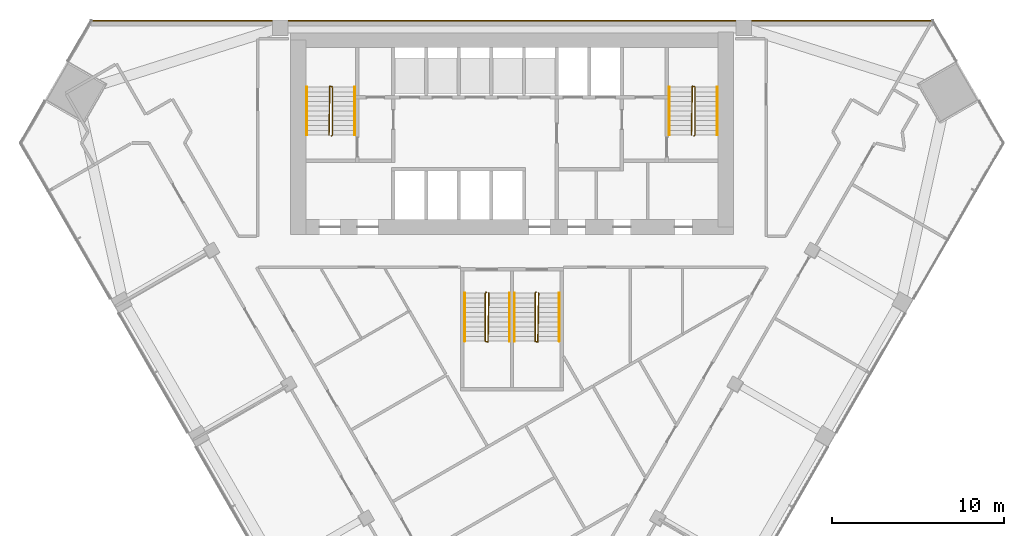
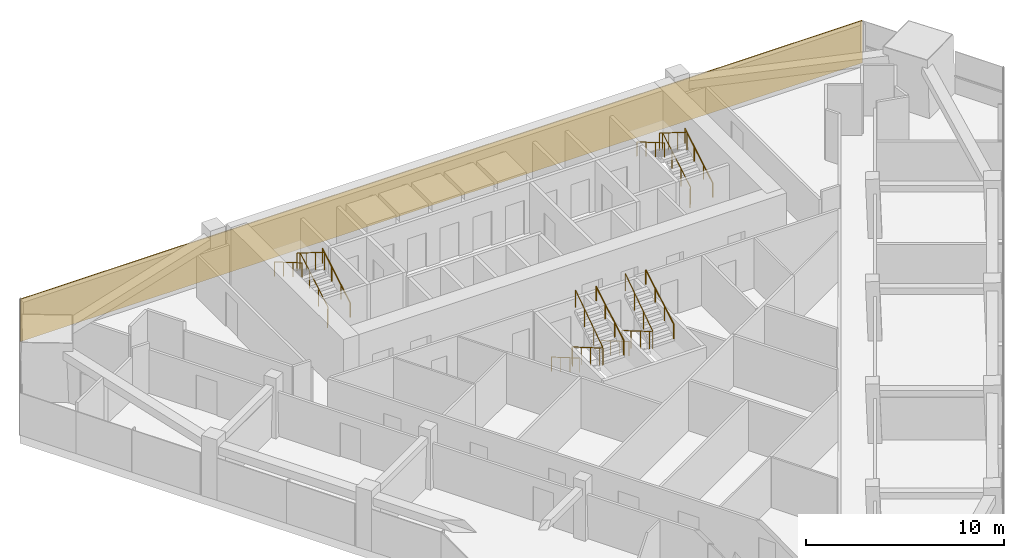
# One storey, part 13 of 14: 12 railings, 1 covering.
"""IFC4 building model written with IfcOpenShell, lengths in metres."""

from ifc_helpers import new_model, si_unit, direction, frame, frame_2d, origin, origin_2d, place, context, subcontext, project, spatial, rectangle, circle, extrude, material, layer, layer_set, type_object, element, save


model = new_model("IFC4")

# Units and contexts
model_context = context("Model", 3, precision=1e-05, world=origin(), true_north=direction((0.0, 1.0)))
body_context = subcontext(model_context, "Body", "Model", "MODEL_VIEW")
ifc_project = project(units=[si_unit("LENGTHUNIT", "METRE"), si_unit("AREAUNIT", "SQUARE_METRE"), si_unit("VOLUMEUNIT", "CUBIC_METRE"), si_unit("PLANEANGLEUNIT", "RADIAN"), si_unit("MASSUNIT", "GRAM", prefix="KILO")], contexts=[model_context])

# Site, building, storey
site_placement = place(None, origin())
site = spatial("IfcSite", under=ifc_project, at=site_placement, CompositionType="ELEMENT")
building_placement = place(site_placement, origin())
building = spatial("IfcBuilding", under=site, at=building_placement, Name="Altiplano Prism Tower", CompositionType="ELEMENT")
storey_placement = place(building_placement, frame((0.0, 0.0, 108.0)))
storey = spatial("IfcBuildingStorey", under=building, at=storey_placement, Name="L27", CompositionType="ELEMENT", Elevation=108.0)

# Railings
ifc_material_1 = material(Name="Steel S355", Category="steel")
railing_type_1 = type_object("IfcRailingType", Name="Stair guard 1100", PredefinedType="GUARDRAIL", material=ifc_material_1)
railing_1_placement = place(storey_placement, frame((74.5, 98.25, 0.0)))
element("IfcRailing", 1, at=railing_1_placement, inside=storey, type_object=railing_type_1, Name="L27 ST1 stair guard 1", PredefinedType="GUARDRAIL", context=body_context, shape_type="SweptSolid", body=[
    extrude(circle(Radius=0.02392578125, at=origin_2d()), frame((0.0, 0.0, 1.076171875), z_axis=(0.280808744504, 0.280808744504, 0.917765164963), x_axis=(-0.707106781187, 0.707106781187, 0.0)), (0.0, 0.0, 1.0), 0.17822265625),
    extrude(circle(Radius=0.02392578125, at=origin_2d()), frame((0.050048828125, 0.050048828125, 1.23974609375), z_axis=(0.0, 0.863360870873, 0.504586966384), x_axis=(-1.0, 0.0, 0.0)), (0.0, 0.0, 1.0), 3.2431640625),
    extrude(circle(Radius=0.02392578125, at=origin_2d()), frame((0.050048828125, 2.85009765625, 2.8759765625), z_axis=(-0.949145278916, 0.314838433982, 0.0), x_axis=(-0.314838433982, -0.949145278916, 0.0)), (0.0, 0.0, 1.0), 0.158203125),
    extrude(circle(Radius=0.02392578125, at=origin_2d()), frame((-0.10009765625, 2.89990234375, 2.8759765625), z_axis=(-0.01477401265, -0.845377694409, 0.533964682676), x_axis=(0.999847325713, -0.01747355902, 0.0)), (0.0, 0.0, 1.0), 3.37109375),
    extrude(circle(Radius=0.02099609375, at=origin_2d()), origin(), (0.0, 0.0, 1.0), 1.052001953125),
    extrude(circle(Radius=0.02099609375, at=origin_2d()), frame((0.050048828125, 0.050048828125, 0.16357421875)), (0.0, 0.0, 1.0), 1.052001953125),
    extrude(circle(Radius=0.02099609375, at=origin_2d()), frame((0.050048828125, 0.9833984375, 0.708984375)), (0.0, 0.0, 1.0), 1.052001953125),
    extrude(circle(Radius=0.02099609375, at=origin_2d()), frame((0.050048828125, 1.916748046875, 1.254638671875)), (0.0, 0.0, 1.0), 1.052001953125),
    extrude(circle(Radius=0.02099609375, at=origin_2d()), frame((0.050048828125, 2.85009765625, 1.800048828125)), (0.0, 0.0, 1.0), 1.052001953125),
    extrude(circle(Radius=0.02099609375, at=origin_2d()), frame((-0.10009765625, 2.89990234375, 1.800048828125)), (0.0, 0.0, 1.0), 1.052001953125),
    extrude(circle(Radius=0.02099609375, at=origin_2d()), frame((-0.11669921875, 1.949951171875, 2.400146484375)), (0.0, 0.0, 1.0), 1.052001953125),
    extrude(circle(Radius=0.02099609375, at=origin_2d()), frame((-0.13330078125, 1.0, 3.0)), (0.0, 0.0, 1.0), 1.052001953125),
    extrude(circle(Radius=0.02099609375, at=origin_2d()), frame((-0.14990234375, 0.050048828125, 3.60009765625)), (0.0, 0.0, 1.0), 1.052001953125),
])
railing_2_placement = place(storey_placement, frame((95.60009765625, 98.25, 0.0)))
element("IfcRailing", 2, at=railing_2_placement, inside=storey, type_object=railing_type_1, Name="L27 ST2 stair guard 1", PredefinedType="GUARDRAIL", context=body_context, shape_type="SweptSolid", body=[
    extrude(circle(Radius=0.02392578125, at=origin_2d()), frame((0.0, 0.0, 1.076171875), z_axis=(0.279546231943, 0.280916556609, 0.91811752648), x_axis=(-0.708833529934, 0.705375805398, 0.0)), (0.0, 0.0, 1.0), 0.17822265625),
    extrude(circle(Radius=0.02392578125, at=origin_2d()), frame((0.0498046875, 0.050048828125, 1.23974609375), z_axis=(0.0, 0.863360870873, 0.504586966384), x_axis=(-1.0, 0.0, 0.0)), (0.0, 0.0, 1.0), 3.2431640625),
    extrude(circle(Radius=0.02392578125, at=origin_2d()), frame((0.0498046875, 2.85009765625, 2.8759765625), z_axis=(-0.948991962702, 0.315300261223, 0.0), x_axis=(-0.315300261223, -0.948991962702, 0.0)), (0.0, 0.0, 1.0), 0.157958984375),
    extrude(circle(Radius=0.02392578125, at=origin_2d()), frame((-0.10009765625, 2.89990234375, 2.8759765625), z_axis=(-0.014846418356, -0.845376787675, 0.533964109957), x_axis=(0.999845825584, -0.017559187376, 0.0)), (0.0, 0.0, 1.0), 3.37109375),
    extrude(circle(Radius=0.02099609375, at=origin_2d()), origin(), (0.0, 0.0, 1.0), 1.052001953125),
    extrude(circle(Radius=0.02099609375, at=origin_2d()), frame((0.0498046875, 0.050048828125, 0.16357421875)), (0.0, 0.0, 1.0), 1.052001953125),
    extrude(circle(Radius=0.02099609375, at=origin_2d()), frame((0.0498046875, 0.9833984375, 0.708984375)), (0.0, 0.0, 1.0), 1.052001953125),
    extrude(circle(Radius=0.02099609375, at=origin_2d()), frame((0.0498046875, 1.916748046875, 1.254638671875)), (0.0, 0.0, 1.0), 1.052001953125),
    extrude(circle(Radius=0.02099609375, at=origin_2d()), frame((0.0498046875, 2.85009765625, 1.800048828125)), (0.0, 0.0, 1.0), 1.052001953125),
    extrude(circle(Radius=0.02099609375, at=origin_2d()), frame((-0.10009765625, 2.89990234375, 1.800048828125)), (0.0, 0.0, 1.0), 1.052001953125),
    extrude(circle(Radius=0.02099609375, at=origin_2d()), frame((-0.11669921875, 1.949951171875, 2.400146484375)), (0.0, 0.0, 1.0), 1.052001953125),
    extrude(circle(Radius=0.02099609375, at=origin_2d()), frame((-0.133544921875, 1.0, 3.0)), (0.0, 0.0, 1.0), 1.052001953125),
    extrude(circle(Radius=0.02099609375, at=origin_2d()), frame((-0.150146484375, 0.050048828125, 3.60009765625)), (0.0, 0.0, 1.0), 1.052001953125),
])
railing_3_placement = place(storey_placement, frame((83.5, 89.14990234375, 0.0)))
element("IfcRailing", 3, at=railing_3_placement, inside=storey, type_object=railing_type_1, Name="L27 ST3A stair guard 1", PredefinedType="GUARDRAIL", context=body_context, shape_type="SweptSolid", body=[
    extrude(circle(Radius=0.02392578125, at=origin_2d()), frame((0.0, 0.0, 1.076171875), z_axis=(-0.280916556609, -0.279546231943, 0.91811752648), x_axis=(0.705375805398, -0.708833529934, 0.0)), (0.0, 0.0, 1.0), 0.17822265625),
    extrude(circle(Radius=0.02392578125, at=origin_2d()), frame((-0.050048828125, -0.0498046875, 1.23974609375), z_axis=(0.0, -0.863360870873, 0.504586966384), x_axis=(1.0, 0.0, 0.0)), (0.0, 0.0, 1.0), 3.2431640625),
    extrude(circle(Radius=0.02392578125, at=origin_2d()), frame((-0.050048828125, -2.849853515625, 2.8759765625), z_axis=(0.948683298051, -0.316227766017, 0.0), x_axis=(0.316227766017, 0.948683298051, 0.0)), (0.0, 0.0, 1.0), 0.158203125),
    extrude(circle(Radius=0.02392578125, at=origin_2d()), frame((0.10009765625, -2.89990234375, 2.8759765625), z_axis=(0.014773108175, 0.84539835705, 0.533931993021), x_axis=(-0.999847351862, 0.017472062685, 0.0)), (0.0, 0.0, 1.0), 3.371337890625),
    extrude(circle(Radius=0.02099609375, at=origin_2d()), origin(), (0.0, 0.0, 1.0), 1.052001953125),
    extrude(circle(Radius=0.02099609375, at=origin_2d()), frame((-0.050048828125, -0.0498046875, 0.16357421875)), (0.0, 0.0, 1.0), 1.052001953125),
    extrude(circle(Radius=0.02099609375, at=origin_2d()), frame((-0.050048828125, -0.983154296875, 0.708984375)), (0.0, 0.0, 1.0), 1.052001953125),
    extrude(circle(Radius=0.02099609375, at=origin_2d()), frame((-0.050048828125, -1.91650390625, 1.254638671875)), (0.0, 0.0, 1.0), 1.052001953125),
    extrude(circle(Radius=0.02099609375, at=origin_2d()), frame((-0.050048828125, -2.849853515625, 1.800048828125)), (0.0, 0.0, 1.0), 1.052001953125),
    extrude(circle(Radius=0.02099609375, at=origin_2d()), frame((0.10009765625, -2.89990234375, 1.800048828125)), (0.0, 0.0, 1.0), 1.052001953125),
    extrude(circle(Radius=0.02099609375, at=origin_2d()), frame((0.11669921875, -1.949951171875, 2.400146484375)), (0.0, 0.0, 1.0), 1.052001953125),
    extrude(circle(Radius=0.02099609375, at=origin_2d()), frame((0.13330078125, -0.999755859375, 3.0)), (0.0, 0.0, 1.0), 1.052001953125),
    extrude(circle(Radius=0.02099609375, at=origin_2d()), frame((0.14990234375, -0.0498046875, 3.60009765625)), (0.0, 0.0, 1.0), 1.052001953125),
])
railing_4_placement = place(storey_placement, frame((86.39990234375, 89.14990234375, 0.0)))
element("IfcRailing", 4, at=railing_4_placement, inside=storey, type_object=railing_type_1, Name="L27 ST3B stair guard 1", PredefinedType="GUARDRAIL", context=body_context, shape_type="SweptSolid", body=[
    extrude(circle(Radius=0.02392578125, at=origin_2d()), frame((0.0, 0.0, 1.076171875), z_axis=(-0.279653641804, -0.279653641804, 0.918470294159), x_axis=(0.707106781187, -0.707106781187, 0.0)), (0.0, 0.0, 1.0), 0.177978515625),
    extrude(circle(Radius=0.02392578125, at=origin_2d()), frame((-0.0498046875, -0.0498046875, 1.23974609375), z_axis=(0.0, -0.863360870873, 0.504586966384), x_axis=(1.0, 0.0, 0.0)), (0.0, 0.0, 1.0), 3.2431640625),
    extrude(circle(Radius=0.02392578125, at=origin_2d()), frame((-0.0498046875, -2.849853515625, 2.8759765625), z_axis=(0.948528701346, -0.316691178788, 0.0), x_axis=(0.316691178788, 0.948528701346, 0.0)), (0.0, 0.0, 1.0), 0.157958984375),
    extrude(circle(Radius=0.02392578125, at=origin_2d()), frame((0.10009765625, -2.89990234375, 2.8759765625), z_axis=(0.014845509451, 0.845397450405, 0.533931420407), x_axis=(-0.999845851991, 0.017557683712, 0.0)), (0.0, 0.0, 1.0), 3.371337890625),
    extrude(circle(Radius=0.02099609375, at=origin_2d()), origin(), (0.0, 0.0, 1.0), 1.052001953125),
    extrude(circle(Radius=0.02099609375, at=origin_2d()), frame((-0.0498046875, -0.0498046875, 0.16357421875)), (0.0, 0.0, 1.0), 1.052001953125),
    extrude(circle(Radius=0.02099609375, at=origin_2d()), frame((-0.0498046875, -0.983154296875, 0.708984375)), (0.0, 0.0, 1.0), 1.052001953125),
    extrude(circle(Radius=0.02099609375, at=origin_2d()), frame((-0.0498046875, -1.91650390625, 1.254638671875)), (0.0, 0.0, 1.0), 1.052001953125),
    extrude(circle(Radius=0.02099609375, at=origin_2d()), frame((-0.0498046875, -2.849853515625, 1.800048828125)), (0.0, 0.0, 1.0), 1.052001953125),
    extrude(circle(Radius=0.02099609375, at=origin_2d()), frame((0.10009765625, -2.89990234375, 1.800048828125)), (0.0, 0.0, 1.0), 1.052001953125),
    extrude(circle(Radius=0.02099609375, at=origin_2d()), frame((0.11669921875, -1.949951171875, 2.400146484375)), (0.0, 0.0, 1.0), 1.052001953125),
    extrude(circle(Radius=0.02099609375, at=origin_2d()), frame((0.133544921875, -0.999755859375, 3.0)), (0.0, 0.0, 1.0), 1.052001953125),
    extrude(circle(Radius=0.02099609375, at=origin_2d()), frame((0.150146484375, -0.0498046875, 3.60009765625)), (0.0, 0.0, 1.0), 1.052001953125),
])
railing_type_2 = type_object("IfcRailingType", Name="Stair handrail 900", PredefinedType="HANDRAIL", material=ifc_material_1)
railing_5_placement = place(storey_placement, frame((75.85009765625, 98.300048828125, 0.16357421875)))
element("IfcRailing", 5, at=railing_5_placement, inside=storey, type_object=railing_type_2, Name="L27 ST1 stair handrail 1", PredefinedType="HANDRAIL", context=body_context, shape_type="SweptSolid", body=[
    extrude(circle(Radius=0.02392578125, at=origin_2d()), frame((0.0, 0.0, 0.8759765625), z_axis=(0.0, 0.863360870873, 0.504586966384), x_axis=(-1.0, 0.0, 0.0)), (0.0, 0.0, 1.0), 3.2431640625),
    extrude(circle(Radius=0.02099609375, at=origin_2d()), origin(), (0.0, 0.0, 1.0), 0.851806640625),
    extrude(circle(Radius=0.02099609375, at=origin_2d()), frame((0.0, 0.933349609375, 0.54541015625)), (0.0, 0.0, 1.0), 0.851806640625),
    extrude(circle(Radius=0.02099609375, at=origin_2d()), frame((0.0, 1.86669921875, 1.091064453125)), (0.0, 0.0, 1.0), 0.851806640625),
    extrude(circle(Radius=0.02099609375, at=origin_2d()), frame((0.0, 2.800048828125, 1.636474609375)), (0.0, 0.0, 1.0), 0.851806640625),
])
railing_6_placement = place(storey_placement, frame((73.050048828125, 101.10009765625, 1.963623046875)))
element("IfcRailing", 6, at=railing_6_placement, inside=storey, type_object=railing_type_2, Name="L27 ST1 stair handrail 2", PredefinedType="HANDRAIL", context=body_context, shape_type="SweptSolid", body=[
    extrude(circle(Radius=0.02392578125, at=origin_2d()), frame((0.0, 0.0, 0.8759765625), z_axis=(0.0, -0.863360870873, 0.504586966384), x_axis=(1.0, 0.0, 0.0)), (0.0, 0.0, 1.0), 3.2431640625),
    extrude(circle(Radius=0.02099609375, at=origin_2d()), origin(), (0.0, 0.0, 1.0), 0.851806640625),
    extrude(circle(Radius=0.02099609375, at=origin_2d()), frame((0.0, -0.933349609375, 0.54541015625)), (0.0, 0.0, 1.0), 0.851806640625),
    extrude(circle(Radius=0.02099609375, at=origin_2d()), frame((0.0, -1.86669921875, 1.091064453125)), (0.0, 0.0, 1.0), 0.851806640625),
    extrude(circle(Radius=0.02099609375, at=origin_2d()), frame((0.0, -2.800048828125, 1.636474609375)), (0.0, 0.0, 1.0), 0.851806640625),
])
railing_7_placement = place(storey_placement, frame((96.949951171875, 98.300048828125, 0.16357421875)))
element("IfcRailing", 7, at=railing_7_placement, inside=storey, type_object=railing_type_2, Name="L27 ST2 stair handrail 1", PredefinedType="HANDRAIL", context=body_context, shape_type="SweptSolid", body=[
    extrude(circle(Radius=0.02392578125, at=origin_2d()), frame((0.0, 0.0, 0.8759765625), z_axis=(0.0, 0.863360870873, 0.504586966384), x_axis=(-1.0, 0.0, 0.0)), (0.0, 0.0, 1.0), 3.2431640625),
    extrude(circle(Radius=0.02099609375, at=origin_2d()), origin(), (0.0, 0.0, 1.0), 0.851806640625),
    extrude(circle(Radius=0.02099609375, at=origin_2d()), frame((0.0, 0.933349609375, 0.54541015625)), (0.0, 0.0, 1.0), 0.851806640625),
    extrude(circle(Radius=0.02099609375, at=origin_2d()), frame((0.0, 1.86669921875, 1.091064453125)), (0.0, 0.0, 1.0), 0.851806640625),
    extrude(circle(Radius=0.02099609375, at=origin_2d()), frame((0.0, 2.800048828125, 1.636474609375)), (0.0, 0.0, 1.0), 0.851806640625),
])
for number, where, name in (
    (8, (94.14990234375, 101.10009765625, 1.963623046875), "L27 ST2 stair handrail 2"),
    (9, (82.25, 89.10009765625, 0.16357421875), "L27 ST3A stair handrail 1"),
):
    element("IfcRailing", number, at=place(storey_placement, frame(where)), inside=storey, type_object=railing_type_2, Name=name, PredefinedType="HANDRAIL", context=body_context, shape_type="SweptSolid", body=[
        extrude(circle(Radius=0.02392578125, at=origin_2d()), frame((0.0, 0.0, 0.8759765625), z_axis=(0.0, -0.863360870873, 0.504586966384), x_axis=(1.0, 0.0, 0.0)), (0.0, 0.0, 1.0), 3.2431640625),
        extrude(circle(Radius=0.02099609375, at=origin_2d()), origin(), (0.0, 0.0, 1.0), 0.851806640625),
        extrude(circle(Radius=0.02099609375, at=origin_2d()), frame((0.0, -0.933349609375, 0.54541015625)), (0.0, 0.0, 1.0), 0.851806640625),
        extrude(circle(Radius=0.02099609375, at=origin_2d()), frame((0.0, -1.86669921875, 1.091064453125)), (0.0, 0.0, 1.0), 0.851806640625),
        extrude(circle(Radius=0.02099609375, at=origin_2d()), frame((0.0, -2.800048828125, 1.636474609375)), (0.0, 0.0, 1.0), 0.851806640625),
    ])
railing_8_placement = place(storey_placement, frame((84.85009765625, 86.300048828125, 1.963623046875)))
element("IfcRailing", 10, at=railing_8_placement, inside=storey, type_object=railing_type_2, Name="L27 ST3A stair handrail 2", PredefinedType="HANDRAIL", context=body_context, shape_type="SweptSolid", body=[
    extrude(circle(Radius=0.02392578125, at=origin_2d()), frame((0.0, 0.0, 0.8759765625), z_axis=(0.0, 0.863360870873, 0.504586966384), x_axis=(-1.0, 0.0, 0.0)), (0.0, 0.0, 1.0), 3.2431640625),
    extrude(circle(Radius=0.02099609375, at=origin_2d()), origin(), (0.0, 0.0, 1.0), 0.851806640625),
    extrude(circle(Radius=0.02099609375, at=origin_2d()), frame((0.0, 0.933349609375, 0.54541015625)), (0.0, 0.0, 1.0), 0.851806640625),
    extrude(circle(Radius=0.02099609375, at=origin_2d()), frame((0.0, 1.86669921875, 1.091064453125)), (0.0, 0.0, 1.0), 0.851806640625),
    extrude(circle(Radius=0.02099609375, at=origin_2d()), frame((0.0, 2.800048828125, 1.636474609375)), (0.0, 0.0, 1.0), 0.851806640625),
])
railing_9_placement = place(storey_placement, frame((85.14990234375, 89.10009765625, 0.16357421875)))
element("IfcRailing", 11, at=railing_9_placement, inside=storey, type_object=railing_type_2, Name="L27 ST3B stair handrail 1", PredefinedType="HANDRAIL", context=body_context, shape_type="SweptSolid", body=[
    extrude(circle(Radius=0.02392578125, at=origin_2d()), frame((0.0, 0.0, 0.8759765625), z_axis=(0.0, -0.863360870873, 0.504586966384), x_axis=(1.0, 0.0, 0.0)), (0.0, 0.0, 1.0), 3.2431640625),
    extrude(circle(Radius=0.02099609375, at=origin_2d()), origin(), (0.0, 0.0, 1.0), 0.851806640625),
    extrude(circle(Radius=0.02099609375, at=origin_2d()), frame((0.0, -0.933349609375, 0.54541015625)), (0.0, 0.0, 1.0), 0.851806640625),
    extrude(circle(Radius=0.02099609375, at=origin_2d()), frame((0.0, -1.86669921875, 1.091064453125)), (0.0, 0.0, 1.0), 0.851806640625),
    extrude(circle(Radius=0.02099609375, at=origin_2d()), frame((0.0, -2.800048828125, 1.636474609375)), (0.0, 0.0, 1.0), 0.851806640625),
])
railing_10_placement = place(storey_placement, frame((87.75, 86.300048828125, 1.963623046875)))
element("IfcRailing", 12, at=railing_10_placement, inside=storey, type_object=railing_type_2, Name="L27 ST3B stair handrail 2", PredefinedType="HANDRAIL", context=body_context, shape_type="SweptSolid", body=[
    extrude(circle(Radius=0.02392578125, at=origin_2d()), frame((0.0, 0.0, 0.8759765625), z_axis=(0.0, 0.863360870873, 0.504586966384), x_axis=(-1.0, 0.0, 0.0)), (0.0, 0.0, 1.0), 3.2431640625),
    extrude(circle(Radius=0.02099609375, at=origin_2d()), origin(), (0.0, 0.0, 1.0), 0.851806640625),
    extrude(circle(Radius=0.02099609375, at=origin_2d()), frame((0.0, 0.933349609375, 0.54541015625)), (0.0, 0.0, 1.0), 0.851806640625),
    extrude(circle(Radius=0.02099609375, at=origin_2d()), frame((0.0, 1.86669921875, 1.091064453125)), (0.0, 0.0, 1.0), 0.851806640625),
    extrude(circle(Radius=0.02099609375, at=origin_2d()), frame((0.0, 2.800048828125, 1.636474609375)), (0.0, 0.0, 1.0), 0.851806640625),
])

# Covering
ifc_material_2 = material(Name="Warm limestone cast stone", Category="masonry")
ifc_layer = layer(ifc_material_2, 0.06005859375)
ifc_layer_set = layer_set([ifc_layer], Name="Warm limestone cast stone")
covering_type = type_object("IfcCoveringType", Name="Stone cladding 60", PredefinedType="CLADDING", material=ifc_layer_set)
covering_placement = place(storey_placement, frame((60.49462890625, 104.969970703125, 0.0), z_axis=(0.0, 0.0, 1.0), x_axis=(1.0, 0.0, 0.0)))
element("IfcCovering", 13, at=covering_placement, inside=storey, type_object=covering_type, Name="Stone cladding north face L27", PredefinedType="CLADDING", context=body_context, shape_type="SweptSolid", body=[
    extrude(rectangle(XDim=49.0107421875, YDim=0.06005859375, at=frame_2d((24.50537109375, 0.0))), origin(), (0.0, 0.0, 1.0), 2.60009765625),
])

save(model, "model.ifc")
